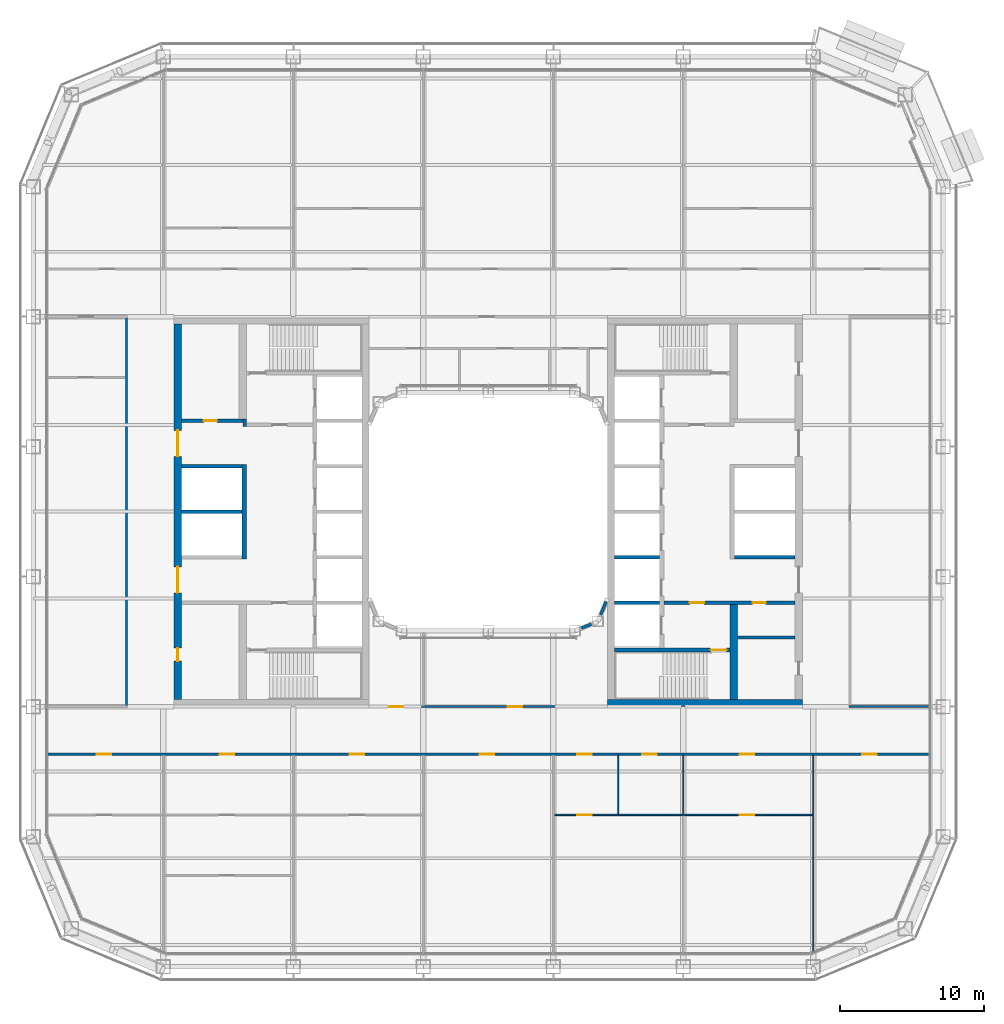
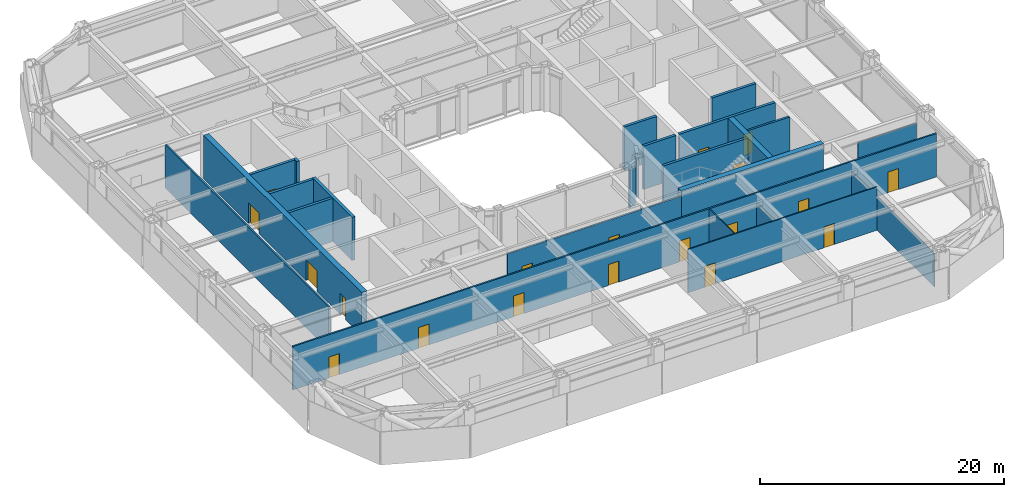
# One storey, part 13 of 30: 24 walls, 19 doors, 19 openings.
"""IFC4 building model written with IfcOpenShell, lengths in metres."""

from ifc_helpers import new_model, si_unit, direction, frame, frame_2d, origin, place, context, subcontext, project, spatial, rectangle, extrude, material, layer, layer_set, type_object, element, fill, save


model = new_model("IFC4")

# Units and contexts
model_context = context("Model", 3, precision=1e-05, world=origin(), true_north=direction((0.0, 1.0)))
body_context = subcontext(model_context, "Body", "Model", "MODEL_VIEW")
ifc_project = project(units=[si_unit("LENGTHUNIT", "METRE"), si_unit("AREAUNIT", "SQUARE_METRE"), si_unit("VOLUMEUNIT", "CUBIC_METRE"), si_unit("PLANEANGLEUNIT", "RADIAN"), si_unit("MASSUNIT", "GRAM", prefix="KILO")], contexts=[model_context])

# Site, building, storey
site_placement = place(None, origin())
site = spatial("IfcSite", under=ifc_project, at=site_placement, CompositionType="ELEMENT")
building_placement = place(site_placement, origin())
building = spatial("IfcBuilding", under=site, at=building_placement, Name="Siwar Civic Tower", CompositionType="ELEMENT")
storey_placement = place(building_placement, frame((0.0, 0.0, 80.699951171875)))
storey = spatial("IfcBuildingStorey", under=building, at=storey_placement, Name="L17", CompositionType="ELEMENT", Elevation=80.699951171875)

# Walls
ifc_material_1 = material(Name="Gypsum board on steel studs", Category="steel")
ifc_layer_1 = layer(ifc_material_1, 0.199951171875)
ifc_layer_set_1 = layer_set([ifc_layer_1], Name="Gypsum board on steel studs")
wall_type_1 = type_object("IfcWallType", Name="CORE-PARTITION-200", PredefinedType="PARTITIONING", material=ifc_layer_set_1)
wall_1_placement = place(storey_placement, frame((17.25, -8.699951171875, 0.0), z_axis=(0.0, 0.0, 1.0), x_axis=(1.0, 0.0, 0.0)))
element("IfcWall", 1, at=wall_1_placement, inside=storey, type_object=wall_type_1, Name="Core partition E", PredefinedType="PARTITIONING", context=body_context, shape_type="SweptSolid", body=[
    extrude(rectangle(XDim=4.0, YDim=0.199951171875, at=frame_2d((2.0, 0.0))), origin(), (0.0, 0.0, 1.0), 4.35009765625),
])
ifc_material_2 = material(Name="Concrete C60/75", Category="concrete")
ifc_layer_2 = layer(ifc_material_2, 0.25)
ifc_layer_set_2 = layer_set([ifc_layer_2], Name="Concrete C60/75")
wall_type_2 = type_object("IfcWallType", Name="CORE-WALL-RC250", PredefinedType="SHEAR", material=ifc_layer_set_2)
wall_2_placement = place(storey_placement, frame((-16.875, 5.89990234375, 0.0), z_axis=(0.0, 0.0, 1.0), x_axis=(0.0, 1.0, 0.0)))
element("IfcWall", 2, at=wall_2_placement, inside=storey, type_object=wall_type_2, Name="Core wall W", PredefinedType="SHEAR", context=body_context, shape_type="SweptSolid", body=[
    extrude(rectangle(XDim=0.525146484375, YDim=0.25, at=frame_2d((0.2626953125, 0.0))), origin(), (0.0, 0.0, 1.0), 4.35009765625),
])

# Wall, opening, door
wall_3_placement = place(storey_placement, frame((-17.0, 6.300048828125, 0.0), z_axis=(0.0, 0.0, 1.0), x_axis=(-1.0, 0.0, 0.0)))
wall_3 = element("IfcWall", 3, at=wall_3_placement, inside=storey, type_object=wall_type_2, Name="Core wall W", PredefinedType="SHEAR", context=body_context, shape_type="SweptSolid", body=[
    extrude(rectangle(XDim=4.25, YDim=0.25, at=frame_2d((2.125, 0.0))), origin(), (0.0, 0.0, 1.0), 4.35009765625),
])
opening_1_placement = place(wall_3_placement, frame((1.800048828125, 0.0, 0.0)))
opening_1 = element("IfcOpeningElement", 4, at=opening_1_placement, cuts=wall_3, Name="Opening L17-CW13", PredefinedType="OPENING", context=body_context, shape_type="SweptSolid", body=[
    extrude(rectangle(XDim=0.89990234375, YDim=2.10009765625, at=frame_2d((0.449951171875, 1.050048828125))), frame((0.0, 0.135009765625, 0.0), z_axis=(0.0, -1.0, 0.0), x_axis=(1.0, 0.0, 0.0)), (0.0, 0.0, 1.0), 0.27001953125),
])
ifc_material_3 = material(Name="Steel door leaf", Category="steel")
door_type_1 = type_object("IfcDoorType", Name="CORE-DOOR-ROOM", OperationType="SINGLE_SWING_LEFT", PredefinedType="DOOR", material=ifc_material_3)
door_1_placement = place(opening_1_placement, origin())
door_1 = element("IfcDoor", 5, at=door_1_placement, inside=storey, type_object=door_type_1, Name="Core room door L17-CW13", OperationType="SINGLE_SWING_LEFT", OverallHeight=2.10009765625, OverallWidth=0.89990234375, PredefinedType="DOOR", context=body_context, shape_type="SweptSolid", body=[
    extrude(rectangle(XDim=0.89990234375, YDim=2.10009765625, at=frame_2d((0.449951171875, 1.050048828125))), frame((0.0, 0.02490234375, 0.0), z_axis=(0.0, -1.0, 0.0), x_axis=(1.0, 0.0, 0.0)), (0.0, 0.0, 1.0), 0.050048828125),
])
fill(opening_1, door_1)

# Walls
for number, where, z_axis, x_axis, name in (
    (6, (-17.050048828125, 0.0, 0.0), (0.0, 0.0, 1.0), (-1.0, 0.0, 0.0), "Core wall W"),
    (7, (-17.050048828125, 3.14990234375, 0.0), (0.0, 0.0, 1.0), (-1.0, 0.0, 0.0), "Core wall W"),
):
    element("IfcWall", number, at=place(storey_placement, frame(where, z_axis=z_axis, x_axis=x_axis)), inside=storey, type_object=wall_type_2, Name=name, PredefinedType="SHEAR", context=body_context, shape_type="SweptSolid", body=[
        extrude(rectangle(XDim=4.199951171875, YDim=0.25, at=frame_2d((2.10009765625, 0.0))), origin(), (0.0, 0.0, 1.0), 4.35009765625),
    ])

# Wall, openings, doors
wall_4_placement = place(storey_placement, frame((12.14990234375, -6.300048828125, 0.0), z_axis=(0.0, 0.0, 1.0), x_axis=(1.0, 0.0, 0.0)))
wall_4 = element("IfcWall", 8, at=wall_4_placement, inside=storey, type_object=wall_type_2, Name="Core wall E", PredefinedType="SHEAR", context=body_context, shape_type="SweptSolid", body=[
    extrude(rectangle(XDim=9.10009765625, YDim=0.25, at=frame_2d((4.550048828125, 0.0))), origin(), (0.0, 0.0, 1.0), 4.35009765625),
])
opening_2_placement = place(wall_4_placement, frame((1.800048828125, 0.0, 0.0)))
opening_2 = element("IfcOpeningElement", 9, at=opening_2_placement, cuts=wall_4, Name="Opening L17-CE02", PredefinedType="OPENING", context=body_context, shape_type="SweptSolid", body=[
    extrude(rectangle(XDim=1.0, YDim=2.10009765625, at=frame_2d((0.5, 1.050048828125))), frame((0.0, 0.135009765625, 0.0), z_axis=(0.0, -1.0, 0.0), x_axis=(1.0, 0.0, 0.0)), (0.0, 0.0, 1.0), 0.27001953125),
])
opening_3_placement = place(wall_4_placement, frame((6.14990234375, 0.0, 0.0)))
opening_3 = element("IfcOpeningElement", 10, at=opening_3_placement, cuts=wall_4, Name="Opening L17-CE14", PredefinedType="OPENING", context=body_context, shape_type="SweptSolid", body=[
    extrude(rectangle(XDim=0.89990234375, YDim=2.10009765625, at=frame_2d((0.449951171875, 1.050048828125))), frame((0.0, 0.135009765625, 0.0), z_axis=(0.0, -1.0, 0.0), x_axis=(1.0, 0.0, 0.0)), (0.0, 0.0, 1.0), 0.27001953125),
])
ifc_material_4 = material(Name="Steel door leaf", Category="steel")
door_type_2 = type_object("IfcDoorType", Name="CORE-DOOR-FD30S", OperationType="SINGLE_SWING_LEFT", PredefinedType="DOOR", material=ifc_material_4)
door_2_placement = place(opening_2_placement, origin())
door_2 = element("IfcDoor", 11, at=door_2_placement, inside=storey, type_object=door_type_2, Name="Service lobby door L17-CE02", OperationType="SINGLE_SWING_LEFT", OverallHeight=2.10009765625, OverallWidth=1.0, PredefinedType="DOOR", context=body_context, shape_type="SweptSolid", body=[
    extrude(rectangle(XDim=1.0, YDim=2.10009765625, at=frame_2d((0.5, 1.050048828125))), frame((0.0, 0.02490234375, 0.0), z_axis=(0.0, -1.0, 0.0), x_axis=(1.0, 0.0, 0.0)), (0.0, 0.0, 1.0), 0.050048828125),
])
fill(opening_2, door_2)
door_3_placement = place(opening_3_placement, origin())
door_3 = element("IfcDoor", 12, at=door_3_placement, inside=storey, type_object=door_type_1, Name="Core room door L17-CE14", OperationType="SINGLE_SWING_LEFT", OverallHeight=2.10009765625, OverallWidth=0.89990234375, PredefinedType="DOOR", context=body_context, shape_type="SweptSolid", body=[
    extrude(rectangle(XDim=0.89990234375, YDim=2.10009765625, at=frame_2d((0.449951171875, 1.050048828125))), frame((0.0, 0.02490234375, 0.0), z_axis=(0.0, -1.0, 0.0), x_axis=(1.0, 0.0, 0.0)), (0.0, 0.0, 1.0), 0.050048828125),
])
fill(opening_3, door_3)

# Walls
wall_5_placement = place(storey_placement, frame((17.050048828125, -3.14990234375, 0.0), z_axis=(0.0, 0.0, 1.0), x_axis=(1.0, 0.0, 0.0)))
element("IfcWall", 13, at=wall_5_placement, inside=storey, type_object=wall_type_2, Name="Core wall E", PredefinedType="SHEAR", context=body_context, shape_type="SweptSolid", body=[
    extrude(rectangle(XDim=4.199951171875, YDim=0.25, at=frame_2d((2.10009765625, 0.0))), origin(), (0.0, 0.0, 1.0), 4.35009765625),
])
for number, where, z_axis, x_axis, name in (
    (14, (8.75, -3.14990234375, 0.0), (0.0, 0.0, 1.0), (1.0, 0.0, 0.0), "Core wall E"),
    (15, (8.75, -6.300048828125, 0.0), (0.0, 0.0, 1.0), (1.0, 0.0, 0.0), "Core wall E"),
):
    element("IfcWall", number, at=place(storey_placement, frame(where, z_axis=z_axis, x_axis=x_axis)), inside=storey, type_object=wall_type_2, Name=name, PredefinedType="SHEAR", context=body_context, shape_type="SweptSolid", body=[
        extrude(rectangle(XDim=3.10009765625, YDim=0.25, at=frame_2d((1.550048828125, 0.0))), origin(), (0.0, 0.0, 1.0), 4.35009765625),
    ])

# Wall, opening, door
wall_6_placement = place(storey_placement, frame((8.75, -9.574951171875, 0.0), z_axis=(0.0, 0.0, 1.0), x_axis=(1.0, 0.0, 0.0)))
wall_6 = element("IfcWall", 16, at=wall_6_placement, inside=storey, type_object=wall_type_2, Name="Core wall E", PredefinedType="SHEAR", context=body_context, shape_type="SweptSolid", body=[
    extrude(rectangle(XDim=8.0, YDim=0.25, at=frame_2d((4.0, 0.0))), origin(), (0.0, 0.0, 1.0), 4.35009765625),
])
opening_4_placement = place(wall_6_placement, frame((6.64990234375, 0.0, 0.0)))
opening_4 = element("IfcOpeningElement", 17, at=opening_4_placement, cuts=wall_6, Name="Opening L17-CE04", PredefinedType="OPENING", context=body_context, shape_type="SweptSolid", body=[
    extrude(rectangle(XDim=1.10009765625, YDim=2.10009765625, at=frame_2d((0.550048828125, 1.050048828125))), frame((0.0, 0.135009765625, 0.0), z_axis=(0.0, -1.0, 0.0), x_axis=(1.0, 0.0, 0.0)), (0.0, 0.0, 1.0), 0.27001953125),
])
ifc_material_5 = material(Name="Steel door leaf", Category="steel")
door_type_3 = type_object("IfcDoorType", Name="CORE-DOOR-FD60S", OperationType="SINGLE_SWING_LEFT", PredefinedType="DOOR", material=ifc_material_5)
door_4_placement = place(opening_4_placement, origin())
door_4 = element("IfcDoor", 18, at=door_4_placement, inside=storey, type_object=door_type_3, Name="Stair door L17-CE04", OperationType="SINGLE_SWING_RIGHT", OverallHeight=2.10009765625, OverallWidth=1.10009765625, PredefinedType="DOOR", context=body_context, shape_type="SweptSolid", body=[
    extrude(rectangle(XDim=1.10009765625, YDim=2.10009765625, at=frame_2d((0.550048828125, 1.050048828125))), frame((0.0, 0.02490234375, 0.0), z_axis=(0.0, -1.0, 0.0), x_axis=(1.0, 0.0, 0.0)), (0.0, 0.0, 1.0), 0.050048828125),
])
fill(opening_4, door_4)

# Wall
ifc_material_6 = material(Name="Concrete C60/75", Category="concrete")
ifc_layer_3 = layer(ifc_material_6, 0.300048828125)
ifc_layer_set_3 = layer_set([ifc_layer_3], Name="Concrete C60/75")
wall_type_3 = type_object("IfcWallType", Name="CORE-WALL-RC300", PredefinedType="SHEAR", material=ifc_layer_set_3)
wall_7_placement = place(storey_placement, frame((-16.89990234375, -3.27490234375, 0.0), z_axis=(0.0, 0.0, 1.0), x_axis=(0.0, 1.0, 0.0)))
element("IfcWall", 19, at=wall_7_placement, inside=storey, type_object=wall_type_3, Name="Core wall W", PredefinedType="SHEAR", context=body_context, shape_type="SweptSolid", body=[
    extrude(rectangle(XDim=6.5498046875, YDim=0.300048828125, at=frame_2d((3.27490234375, 0.0))), origin(), (0.0, 0.0, 1.0), 4.35009765625),
])

# Wall, openings, doors
ifc_material_7 = material(Name="Concrete C60/75", Category="concrete")
ifc_layer_4 = layer(ifc_material_7, 0.5)
ifc_layer_set_4 = layer_set([ifc_layer_4], Name="Concrete C60/75")
wall_type_4 = type_object("IfcWallType", Name="CORE-WALL-RC500", PredefinedType="SHEAR", material=ifc_layer_set_4)
wall_8_placement = place(storey_placement, frame((-21.5, -13.0, 0.0), z_axis=(0.0, 0.0, 1.0), x_axis=(0.0, 1.0, 0.0)))
wall_8 = element("IfcWall", 20, at=wall_8_placement, inside=storey, type_object=wall_type_4, Name="Core wall W", PredefinedType="SHEAR", context=body_context, shape_type="SweptSolid", body=[
    extrude(rectangle(XDim=26.0, YDim=0.5, at=frame_2d((13.0, 0.0))), origin(), (0.0, 0.0, 1.0), 4.35009765625),
])
opening_5_placement = place(wall_8_placement, frame((16.824951171875, 0.0, 0.0)))
opening_5 = element("IfcOpeningElement", 21, at=opening_5_placement, cuts=wall_8, Name="Opening L17-CW05", PredefinedType="OPENING", context=body_context, shape_type="SweptSolid", body=[
    extrude(rectangle(XDim=1.800048828125, YDim=2.10009765625, at=frame_2d((0.89990234375, 1.050048828125))), frame((0.0, 0.260009765625, 0.0), z_axis=(0.0, -1.0, 0.0), x_axis=(1.0, 0.0, 0.0)), (0.0, 0.0, 1.0), 0.52001953125),
])
opening_6_placement = place(wall_8_placement, frame((7.375, 0.0, 0.0)))
opening_6 = element("IfcOpeningElement", 22, at=opening_6_placement, cuts=wall_8, Name="Opening L17-CW06", PredefinedType="OPENING", context=body_context, shape_type="SweptSolid", body=[
    extrude(rectangle(XDim=1.800048828125, YDim=2.10009765625, at=frame_2d((0.89990234375, 1.050048828125))), frame((0.0, 0.260009765625, 0.0), z_axis=(0.0, -1.0, 0.0), x_axis=(1.0, 0.0, 0.0)), (0.0, 0.0, 1.0), 0.52001953125),
])
opening_7_placement = place(wall_8_placement, frame((2.64990234375, 0.0, 0.0)))
opening_7 = element("IfcOpeningElement", 23, at=opening_7_placement, cuts=wall_8, Name="Opening L17-CW14", PredefinedType="OPENING", context=body_context, shape_type="SweptSolid", body=[
    extrude(rectangle(XDim=0.89990234375, YDim=2.10009765625, at=frame_2d((0.449951171875, 1.050048828125))), frame((0.0, 0.260009765625, 0.0), z_axis=(0.0, -1.0, 0.0), x_axis=(1.0, 0.0, 0.0)), (0.0, 0.0, 1.0), 0.52001953125),
])
ifc_material_8 = material(Name="Steel door leaf", Category="steel")
door_type_4 = type_object("IfcDoorType", Name="CORE-DOOR-PORT", OperationType="DOUBLE_DOOR_DOUBLE_SWING", PredefinedType="DOOR", material=ifc_material_8)
door_5_placement = place(opening_5_placement, origin())
door_5 = element("IfcDoor", 24, at=door_5_placement, inside=storey, type_object=door_type_4, Name="Core entrance door L17-CW05", OperationType="DOUBLE_DOOR_DOUBLE_SWING", OverallHeight=2.10009765625, OverallWidth=1.800048828125, PredefinedType="DOOR", context=body_context, shape_type="SweptSolid", body=[
    extrude(rectangle(XDim=1.800048828125, YDim=2.10009765625, at=frame_2d((0.89990234375, 1.050048828125))), frame((0.0, 0.02490234375, 0.0), z_axis=(0.0, -1.0, 0.0), x_axis=(1.0, 0.0, 0.0)), (0.0, 0.0, 1.0), 0.050048828125),
])
fill(opening_5, door_5)
door_6_placement = place(opening_6_placement, origin())
door_6 = element("IfcDoor", 25, at=door_6_placement, inside=storey, type_object=door_type_4, Name="Core entrance door L17-CW06", OperationType="DOUBLE_DOOR_DOUBLE_SWING", OverallHeight=2.10009765625, OverallWidth=1.800048828125, PredefinedType="DOOR", context=body_context, shape_type="SweptSolid", body=[
    extrude(rectangle(XDim=1.800048828125, YDim=2.10009765625, at=frame_2d((0.89990234375, 1.050048828125))), frame((0.0, 0.02490234375, 0.0), z_axis=(0.0, -1.0, 0.0), x_axis=(1.0, 0.0, 0.0)), (0.0, 0.0, 1.0), 0.050048828125),
])
fill(opening_6, door_6)
door_7_placement = place(opening_7_placement, origin())
door_7 = element("IfcDoor", 26, at=door_7_placement, inside=storey, type_object=door_type_1, Name="Core room door L17-CW14", OperationType="SINGLE_SWING_LEFT", OverallHeight=2.10009765625, OverallWidth=0.89990234375, PredefinedType="DOOR", context=body_context, shape_type="SweptSolid", body=[
    extrude(rectangle(XDim=0.89990234375, YDim=2.10009765625, at=frame_2d((0.449951171875, 1.050048828125))), frame((0.0, 0.02490234375, 0.0), z_axis=(0.0, -1.0, 0.0), x_axis=(1.0, 0.0, 0.0)), (0.0, 0.0, 1.0), 0.050048828125),
])
fill(opening_7, door_7)

# Walls
wall_9_placement = place(storey_placement, frame((17.0, -13.0, 0.0), z_axis=(0.0, 0.0, 1.0), x_axis=(0.0, 1.0, 0.0)))
element("IfcWall", 27, at=wall_9_placement, inside=storey, type_object=wall_type_4, Name="Core wall E", PredefinedType="SHEAR", context=body_context, shape_type="SweptSolid", body=[
    extrude(rectangle(XDim=6.574951171875, YDim=0.5, at=frame_2d((3.28759765625, 0.0))), origin(), (0.0, 0.0, 1.0), 4.35009765625),
])
wall_10_placement = place(storey_placement, frame((8.25, -13.25, 0.0), z_axis=(0.0, 0.0, 1.0), x_axis=(1.0, 0.0, 0.0)))
element("IfcWall", 28, at=wall_10_placement, inside=storey, type_object=wall_type_4, Name="Core wall E", PredefinedType="SHEAR", context=body_context, shape_type="SweptSolid", body=[
    extrude(rectangle(XDim=13.5, YDim=0.5, at=frame_2d((6.75, 0.0))), origin(), (0.0, 0.0, 1.0), 4.35009765625),
])

# Wall, openings, doors
ifc_material_9 = material(Name="Gypsum board on steel studs", Category="steel")
ifc_layer_5 = layer(ifc_material_9, 0.14990234375)
ifc_layer_set_5 = layer_set([ifc_layer_5], Name="Gypsum board on steel studs")
wall_type_5 = type_object("IfcWallType", Name="CORRIDOR PARTITION 150 EI 30", PredefinedType="PARTITIONING", material=ifc_layer_set_5)
wall_11_placement = place(storey_placement, frame((-30.510009765625, -16.800048828125, 0.0), z_axis=(0.0, 0.0, 1.0), x_axis=(1.0, 0.0, 0.0)))
wall_11 = element("IfcWall", 29, at=wall_11_placement, inside=storey, type_object=wall_type_5, Name="L17/wall/P04", PredefinedType="PARTITIONING", context=body_context, shape_type="SweptSolid", body=[
    extrude(rectangle(XDim=61.02001953125, YDim=0.14990234375, at=frame_2d((30.510009765625, 0.0))), origin(), (0.0, 0.0, 1.0), 4.35009765625),
])
opening_8_placement = place(wall_11_placement, frame((11.909912109375, 0.0, 0.0)))
opening_8 = element("IfcOpeningElement", 30, at=opening_8_placement, cuts=wall_11, Name="Opening D1", PredefinedType="OPENING", context=body_context, shape_type="SweptSolid", body=[
    extrude(rectangle(XDim=1.0, YDim=2.10009765625, at=frame_2d((0.5, 1.050048828125))), frame((0.0, 0.0849609375, 0.0), z_axis=(0.0, -1.0, 0.0), x_axis=(1.0, 0.0, 0.0)), (0.0, 0.0, 1.0), 0.169921875),
])
opening_9_placement = place(wall_11_placement, frame((20.909912109375, 0.0, 0.0)))
opening_9 = element("IfcOpeningElement", 31, at=opening_9_placement, cuts=wall_11, Name="Opening D1", PredefinedType="OPENING", context=body_context, shape_type="SweptSolid", body=[
    extrude(rectangle(XDim=1.0, YDim=2.10009765625, at=frame_2d((0.5, 1.050048828125))), frame((0.0, 0.0849609375, 0.0), z_axis=(0.0, -1.0, 0.0), x_axis=(1.0, 0.0, 0.0)), (0.0, 0.0, 1.0), 0.169921875),
])
opening_10_placement = place(wall_11_placement, frame((29.909912109375, 0.0, 0.0)))
opening_10 = element("IfcOpeningElement", 32, at=opening_10_placement, cuts=wall_11, Name="Opening D1", PredefinedType="OPENING", context=body_context, shape_type="SweptSolid", body=[
    extrude(rectangle(XDim=1.0, YDim=2.10009765625, at=frame_2d((0.5, 1.050048828125))), frame((0.0, 0.0849609375, 0.0), z_axis=(0.0, -1.0, 0.0), x_axis=(1.0, 0.0, 0.0)), (0.0, 0.0, 1.0), 0.169921875),
])
opening_11_placement = place(wall_11_placement, frame((36.659912109375, 0.0, 0.0)))
opening_11 = element("IfcOpeningElement", 33, at=opening_11_placement, cuts=wall_11, Name="Opening D1", PredefinedType="OPENING", context=body_context, shape_type="SweptSolid", body=[
    extrude(rectangle(XDim=1.0, YDim=2.10009765625, at=frame_2d((0.5, 1.050048828125))), frame((0.0, 0.0849609375, 0.0), z_axis=(0.0, -1.0, 0.0), x_axis=(1.0, 0.0, 0.0)), (0.0, 0.0, 1.0), 0.169921875),
])
opening_12_placement = place(wall_11_placement, frame((41.159912109375, 0.0, 0.0)))
opening_12 = element("IfcOpeningElement", 34, at=opening_12_placement, cuts=wall_11, Name="Opening D1", PredefinedType="OPENING", context=body_context, shape_type="SweptSolid", body=[
    extrude(rectangle(XDim=1.0, YDim=2.10009765625, at=frame_2d((0.5, 1.050048828125))), frame((0.0, 0.0849609375, 0.0), z_axis=(0.0, -1.0, 0.0), x_axis=(1.0, 0.0, 0.0)), (0.0, 0.0, 1.0), 0.169921875),
])
opening_13_placement = place(wall_11_placement, frame((47.909912109375, 0.0, 0.0)))
opening_13 = element("IfcOpeningElement", 35, at=opening_13_placement, cuts=wall_11, Name="Opening D1", PredefinedType="OPENING", context=body_context, shape_type="SweptSolid", body=[
    extrude(rectangle(XDim=1.0, YDim=2.10009765625, at=frame_2d((0.5, 1.050048828125))), frame((0.0, 0.0849609375, 0.0), z_axis=(0.0, -1.0, 0.0), x_axis=(1.0, 0.0, 0.0)), (0.0, 0.0, 1.0), 0.169921875),
])
opening_14_placement = place(wall_11_placement, frame((3.39990234375, 0.0, 0.0)))
opening_14 = element("IfcOpeningElement", 36, at=opening_14_placement, cuts=wall_11, Name="Opening D1", PredefinedType="OPENING", context=body_context, shape_type="SweptSolid", body=[
    extrude(rectangle(XDim=1.0, YDim=2.10009765625, at=frame_2d((0.5, 1.050048828125))), frame((0.0, 0.0849609375, 0.0), z_axis=(0.0, -1.0, 0.0), x_axis=(1.0, 0.0, 0.0)), (0.0, 0.0, 1.0), 0.169921875),
])
opening_15_placement = place(wall_11_placement, frame((56.409912109375, 0.0, 0.0)))
opening_15 = element("IfcOpeningElement", 37, at=opening_15_placement, cuts=wall_11, Name="Opening D1", PredefinedType="OPENING", context=body_context, shape_type="SweptSolid", body=[
    extrude(rectangle(XDim=1.0, YDim=2.10009765625, at=frame_2d((0.5, 1.050048828125))), frame((0.0, 0.0849609375, 0.0), z_axis=(0.0, -1.0, 0.0), x_axis=(1.0, 0.0, 0.0)), (0.0, 0.0, 1.0), 0.169921875),
])
ifc_material_10 = material(Name="Timber, painted", Category="wood")
door_type_5 = type_object("IfcDoorType", Name="DOOR 1000 X 2100 FD30", OperationType="SINGLE_SWING_LEFT", PredefinedType="DOOR", material=ifc_material_10)
door_8_placement = place(opening_8_placement, origin())
door_8 = element("IfcDoor", 38, at=door_8_placement, inside=storey, type_object=door_type_5, Name="L17-D09", OperationType="SINGLE_SWING_LEFT", OverallHeight=2.10009765625, OverallWidth=1.0, PredefinedType="DOOR", context=body_context, shape_type="SweptSolid", body=[
    extrude(rectangle(XDim=1.0, YDim=2.10009765625, at=frame_2d((0.5, 1.050048828125))), frame((0.0, 0.02490234375, 0.0), z_axis=(0.0, -1.0, 0.0), x_axis=(1.0, 0.0, 0.0)), (0.0, 0.0, 1.0), 0.050048828125),
])
fill(opening_8, door_8)
door_9_placement = place(opening_9_placement, origin())
door_9 = element("IfcDoor", 39, at=door_9_placement, inside=storey, type_object=door_type_5, Name="L17-D12", OperationType="SINGLE_SWING_RIGHT", OverallHeight=2.10009765625, OverallWidth=1.0, PredefinedType="DOOR", context=body_context, shape_type="SweptSolid", body=[
    extrude(rectangle(XDim=1.0, YDim=2.10009765625, at=frame_2d((0.5, 1.050048828125))), frame((0.0, 0.02490234375, 0.0), z_axis=(0.0, -1.0, 0.0), x_axis=(1.0, 0.0, 0.0)), (0.0, 0.0, 1.0), 0.050048828125),
])
fill(opening_9, door_9)
door_10_placement = place(opening_10_placement, origin())
door_10 = element("IfcDoor", 40, at=door_10_placement, inside=storey, type_object=door_type_5, Name="L17-D14", OperationType="SINGLE_SWING_RIGHT", OverallHeight=2.10009765625, OverallWidth=1.0, PredefinedType="DOOR", context=body_context, shape_type="SweptSolid", body=[
    extrude(rectangle(XDim=1.0, YDim=2.10009765625, at=frame_2d((0.5, 1.050048828125))), frame((0.0, 0.02490234375, 0.0), z_axis=(0.0, -1.0, 0.0), x_axis=(1.0, 0.0, 0.0)), (0.0, 0.0, 1.0), 0.050048828125),
])
fill(opening_10, door_10)
door_11_placement = place(opening_11_placement, origin())
door_11 = element("IfcDoor", 41, at=door_11_placement, inside=storey, type_object=door_type_5, Name="L17-D15", OperationType="SINGLE_SWING_LEFT", OverallHeight=2.10009765625, OverallWidth=1.0, PredefinedType="DOOR", context=body_context, shape_type="SweptSolid", body=[
    extrude(rectangle(XDim=1.0, YDim=2.10009765625, at=frame_2d((0.5, 1.050048828125))), frame((0.0, 0.02490234375, 0.0), z_axis=(0.0, -1.0, 0.0), x_axis=(1.0, 0.0, 0.0)), (0.0, 0.0, 1.0), 0.050048828125),
])
fill(opening_11, door_11)
door_12_placement = place(opening_12_placement, origin())
door_12 = element("IfcDoor", 42, at=door_12_placement, inside=storey, type_object=door_type_5, Name="L17-D16", OperationType="SINGLE_SWING_RIGHT", OverallHeight=2.10009765625, OverallWidth=1.0, PredefinedType="DOOR", context=body_context, shape_type="SweptSolid", body=[
    extrude(rectangle(XDim=1.0, YDim=2.10009765625, at=frame_2d((0.5, 1.050048828125))), frame((0.0, 0.02490234375, 0.0), z_axis=(0.0, -1.0, 0.0), x_axis=(1.0, 0.0, 0.0)), (0.0, 0.0, 1.0), 0.050048828125),
])
fill(opening_12, door_12)
door_13_placement = place(opening_13_placement, origin())
door_13 = element("IfcDoor", 43, at=door_13_placement, inside=storey, type_object=door_type_5, Name="L17-D18", OperationType="SINGLE_SWING_RIGHT", OverallHeight=2.10009765625, OverallWidth=1.0, PredefinedType="DOOR", context=body_context, shape_type="SweptSolid", body=[
    extrude(rectangle(XDim=1.0, YDim=2.10009765625, at=frame_2d((0.5, 1.050048828125))), frame((0.0, 0.02490234375, 0.0), z_axis=(0.0, -1.0, 0.0), x_axis=(1.0, 0.0, 0.0)), (0.0, 0.0, 1.0), 0.050048828125),
])
fill(opening_13, door_13)
door_14_placement = place(opening_14_placement, origin())
door_14 = element("IfcDoor", 44, at=door_14_placement, inside=storey, type_object=door_type_5, Name="L17-D22", OperationType="SINGLE_SWING_RIGHT", OverallHeight=2.10009765625, OverallWidth=1.0, PredefinedType="DOOR", context=body_context, shape_type="SweptSolid", body=[
    extrude(rectangle(XDim=1.0, YDim=2.10009765625, at=frame_2d((0.5, 1.050048828125))), frame((0.0, 0.02490234375, 0.0), z_axis=(0.0, -1.0, 0.0), x_axis=(1.0, 0.0, 0.0)), (0.0, 0.0, 1.0), 0.050048828125),
])
fill(opening_14, door_14)
door_15_placement = place(opening_15_placement, origin())
door_15 = element("IfcDoor", 45, at=door_15_placement, inside=storey, type_object=door_type_5, Name="L17-D24", OperationType="SINGLE_SWING_RIGHT", OverallHeight=2.10009765625, OverallWidth=1.0, PredefinedType="DOOR", context=body_context, shape_type="SweptSolid", body=[
    extrude(rectangle(XDim=1.0, YDim=2.10009765625, at=frame_2d((0.5, 1.050048828125))), frame((0.0, 0.02490234375, 0.0), z_axis=(0.0, -1.0, 0.0), x_axis=(1.0, 0.0, 0.0)), (0.0, 0.0, 1.0), 0.050048828125),
])
fill(opening_15, door_15)

wall_12_placement = place(storey_placement, frame((-8.25, -13.5, 0.0), z_axis=(0.0, 0.0, 1.0), x_axis=(1.0, 0.0, 0.0)))
wall_12 = element("IfcWall", 46, at=wall_12_placement, inside=storey, type_object=wall_type_5, Name="L17/wall/P06", PredefinedType="PARTITIONING", context=body_context, shape_type="SweptSolid", body=[
    extrude(rectangle(XDim=16.5, YDim=0.14990234375, at=frame_2d((8.25, 0.0))), origin(), (0.0, 0.0, 1.0), 3.85009765625),
])
opening_16_placement = place(wall_12_placement, frame((1.35009765625, 0.0, 0.0)))
opening_16 = element("IfcOpeningElement", 47, at=opening_16_placement, cuts=wall_12, Name="Opening D1", PredefinedType="OPENING", context=body_context, shape_type="SweptSolid", body=[
    extrude(rectangle(XDim=1.0, YDim=2.10009765625, at=frame_2d((0.5, 1.050048828125))), frame((0.0, 0.0849609375, 0.0), z_axis=(0.0, -1.0, 0.0), x_axis=(1.0, 0.0, 0.0)), (0.0, 0.0, 1.0), 0.169921875),
])
opening_17_placement = place(wall_12_placement, frame((9.60009765625, 0.0, 0.0)))
opening_17 = element("IfcOpeningElement", 48, at=opening_17_placement, cuts=wall_12, Name="Opening D1", PredefinedType="OPENING", context=body_context, shape_type="SweptSolid", body=[
    extrude(rectangle(XDim=1.0, YDim=2.10009765625, at=frame_2d((0.5, 1.050048828125))), frame((0.0, 0.0849609375, 0.0), z_axis=(0.0, -1.0, 0.0), x_axis=(1.0, 0.0, 0.0)), (0.0, 0.0, 1.0), 0.169921875),
])
door_16_placement = place(opening_16_placement, origin())
door_16 = element("IfcDoor", 49, at=door_16_placement, inside=storey, type_object=door_type_5, Name="L17-D33", OperationType="SINGLE_SWING_LEFT", OverallHeight=2.10009765625, OverallWidth=1.0, PredefinedType="DOOR", context=body_context, shape_type="SweptSolid", body=[
    extrude(rectangle(XDim=1.0, YDim=2.10009765625, at=frame_2d((0.5, 1.050048828125))), frame((0.0, 0.02490234375, 0.0), z_axis=(0.0, -1.0, 0.0), x_axis=(1.0, 0.0, 0.0)), (0.0, 0.0, 1.0), 0.050048828125),
])
fill(opening_16, door_16)
door_17_placement = place(opening_17_placement, origin())
door_17 = element("IfcDoor", 50, at=door_17_placement, inside=storey, type_object=door_type_5, Name="L17-D34", OperationType="SINGLE_SWING_RIGHT", OverallHeight=2.10009765625, OverallWidth=1.0, PredefinedType="DOOR", context=body_context, shape_type="SweptSolid", body=[
    extrude(rectangle(XDim=1.0, YDim=2.10009765625, at=frame_2d((0.5, 1.050048828125))), frame((0.0, 0.02490234375, 0.0), z_axis=(0.0, -1.0, 0.0), x_axis=(1.0, 0.0, 0.0)), (0.0, 0.0, 1.0), 0.050048828125),
])
fill(opening_17, door_17)

# Walls
wall_13_placement = place(storey_placement, frame((24.97509765625, -13.5, 0.0), z_axis=(0.0, 0.0, 1.0), x_axis=(1.0, 0.0, 0.0)))
element("IfcWall", 51, at=wall_13_placement, inside=storey, type_object=wall_type_5, Name="L17/wall/P07", PredefinedType="PARTITIONING", context=body_context, shape_type="SweptSolid", body=[
    extrude(rectangle(XDim=5.534912109375, YDim=0.14990234375, at=frame_2d((2.767578125, 0.0))), origin(), (0.0, 0.0, 1.0), 3.35009765625),
])
wall_14_placement = place(storey_placement, frame((-25.050048828125, -13.425048828125, 0.0), z_axis=(0.0, 0.0, 1.0), x_axis=(0.0, 1.0, 0.0)))
element("IfcWall", 52, at=wall_14_placement, inside=storey, type_object=wall_type_5, Name="L17/wall/P18", PredefinedType="PARTITIONING", context=body_context, shape_type="SweptSolid", body=[
    extrude(rectangle(XDim=26.85009765625, YDim=0.14990234375, at=frame_2d((13.425048828125, 0.0))), origin(), (0.0, 0.0, 1.0), 4.35009765625),
])
ifc_material_11 = material(Name="Aluminium clad insulated panel", Category="aluminium")
ifc_layer_6 = layer(ifc_material_11, 0.199951171875)
ifc_layer_set_6 = layer_set([ifc_layer_6], Name="Aluminium clad insulated panel")
wall_type_6 = type_object("IfcWallType", Name="ENV-WALL-WELL", PredefinedType="STANDARD", material=ifc_layer_set_6)
wall_15_placement = place(storey_placement, frame((6.45263671875, -8.0625, 0.0), z_axis=(0.0, 0.0, 1.0), x_axis=(0.923940677943, 0.382535780864, 0.0)))
element("IfcWall", 53, at=wall_15_placement, inside=storey, type_object=wall_type_6, Name="Light well corner wall SE1", PredefinedType="STANDARD", context=body_context, shape_type="SweptSolid", body=[
    extrude(rectangle(XDim=0.7421875, YDim=0.199951171875, at=frame_2d((0.37109375, 0.0))), origin(), (0.0, 0.0, 1.0), 3.72998046875),
])
wall_16_placement = place(storey_placement, frame((7.778564453125, -7.138427734375, 0.0), z_axis=(0.0, 0.0, 1.0), x_axis=(0.382549378284, 0.923935048136, 0.0)))
element("IfcWall", 54, at=wall_16_placement, inside=storey, type_object=wall_type_6, Name="Light well corner wall SE2", PredefinedType="STANDARD", context=body_context, shape_type="SweptSolid", body=[
    extrude(rectangle(XDim=0.982177734375, YDim=0.199951171875, at=frame_2d((0.4912109375, 0.0))), origin(), (0.0, 0.0, 1.0), 3.72998046875),
])

# Wall, openings, doors
ifc_material_12 = material(Name="Gypsum board on steel studs", Category="steel")
ifc_layer_7 = layer(ifc_material_12, 0.10009765625)
ifc_layer_set_7 = layer_set([ifc_layer_7], Name="Gypsum board on steel studs")
wall_type_7 = type_object("IfcWallType", Name="PARTITION 100 GYPSUM", PredefinedType="PARTITIONING", material=ifc_layer_set_7)
wall_17_placement = place(storey_placement, frame((4.550048828125, -21.0, 0.0), z_axis=(0.0, 0.0, 1.0), x_axis=(1.0, 0.0, 0.0)))
wall_17 = element("IfcWall", 55, at=wall_17_placement, inside=storey, type_object=wall_type_7, Name="L17/wall/P03", PredefinedType="PARTITIONING", context=body_context, shape_type="SweptSolid", body=[
    extrude(rectangle(XDim=17.89990234375, YDim=0.10009765625, at=frame_2d((8.949951171875, 0.0))), origin(), (0.0, 0.0, 1.0), 4.35009765625),
])
opening_18_placement = place(wall_17_placement, frame((1.60009765625, 0.0, 0.0)))
opening_18 = element("IfcOpeningElement", 56, at=opening_18_placement, cuts=wall_17, Name="Opening D2", PredefinedType="OPENING", context=body_context, shape_type="SweptSolid", body=[
    extrude(rectangle(XDim=1.0, YDim=2.10009765625, at=frame_2d((0.5, 1.050048828125))), frame((0.0, 0.06005859375, 0.0), z_axis=(0.0, -1.0, 0.0), x_axis=(1.0, 0.0, 0.0)), (0.0, 0.0, 1.0), 0.1201171875),
])
opening_19_placement = place(wall_17_placement, frame((12.85009765625, 0.0, 0.0)))
opening_19 = element("IfcOpeningElement", 57, at=opening_19_placement, cuts=wall_17, Name="Opening D2", PredefinedType="OPENING", context=body_context, shape_type="SweptSolid", body=[
    extrude(rectangle(XDim=1.0, YDim=2.10009765625, at=frame_2d((0.5, 1.050048828125))), frame((0.0, 0.06005859375, 0.0), z_axis=(0.0, -1.0, 0.0), x_axis=(1.0, 0.0, 0.0)), (0.0, 0.0, 1.0), 0.1201171875),
])
ifc_material_13 = material(Name="Timber, painted", Category="wood")
door_type_6 = type_object("IfcDoorType", Name="DOOR 1000 X 2100", OperationType="SINGLE_SWING_LEFT", PredefinedType="DOOR", material=ifc_material_13)
door_18_placement = place(opening_18_placement, origin())
door_18 = element("IfcDoor", 58, at=door_18_placement, inside=storey, type_object=door_type_6, Name="L17-D17", OperationType="SINGLE_SWING_LEFT", OverallHeight=2.10009765625, OverallWidth=1.0, PredefinedType="DOOR", context=body_context, shape_type="SweptSolid", body=[
    extrude(rectangle(XDim=1.0, YDim=2.10009765625, at=frame_2d((0.5, 1.050048828125))), frame((0.0, 0.02490234375, 0.0), z_axis=(0.0, -1.0, 0.0), x_axis=(1.0, 0.0, 0.0)), (0.0, 0.0, 1.0), 0.050048828125),
])
fill(opening_18, door_18)
door_19_placement = place(opening_19_placement, origin())
door_19 = element("IfcDoor", 59, at=door_19_placement, inside=storey, type_object=door_type_6, Name="L17-D19", OperationType="SINGLE_SWING_LEFT", OverallHeight=2.10009765625, OverallWidth=1.0, PredefinedType="DOOR", context=body_context, shape_type="SweptSolid", body=[
    extrude(rectangle(XDim=1.0, YDim=2.10009765625, at=frame_2d((0.5, 1.050048828125))), frame((0.0, 0.02490234375, 0.0), z_axis=(0.0, -1.0, 0.0), x_axis=(1.0, 0.0, 0.0)), (0.0, 0.0, 1.0), 0.050048828125),
])
fill(opening_19, door_19)

# Walls
wall_18_placement = place(storey_placement, frame((9.0, -20.949951171875, 0.0), z_axis=(0.0, 0.0, 1.0), x_axis=(0.0, 1.0, 0.0)))
element("IfcWall", 60, at=wall_18_placement, inside=storey, type_object=wall_type_7, Name="L17/wall/P33", PredefinedType="PARTITIONING", context=body_context, shape_type="SweptSolid", body=[
    extrude(rectangle(XDim=4.074951171875, YDim=0.10009765625, at=frame_2d((2.03759765625, 0.0))), origin(), (0.0, 0.0, 1.0), 4.35009765625),
])
wall_19_placement = place(storey_placement, frame((13.5, -20.949951171875, 0.0), z_axis=(0.0, 0.0, 1.0), x_axis=(0.0, 1.0, 0.0)))
element("IfcWall", 61, at=wall_19_placement, inside=storey, type_object=wall_type_7, Name="L17/wall/P35", PredefinedType="PARTITIONING", context=body_context, shape_type="SweptSolid", body=[
    extrude(rectangle(XDim=4.074951171875, YDim=0.10009765625, at=frame_2d((2.03759765625, 0.0))), origin(), (0.0, 0.0, 1.0), 3.35009765625),
])
wall_20_placement = place(storey_placement, frame((22.5, -30.427978515625, 0.0), z_axis=(0.0, 0.0, 1.0), x_axis=(0.0, 1.0, 0.0)))
element("IfcWall", 62, at=wall_20_placement, inside=storey, type_object=wall_type_7, Name="L17/wall/P37", PredefinedType="PARTITIONING", context=body_context, shape_type="SweptSolid", body=[
    extrude(rectangle(XDim=13.552978515625, YDim=0.10009765625, at=frame_2d((6.7763671875, 0.0))), origin(), (0.0, 0.0, 1.0), 3.35009765625),
])

save(model, "model.ifc")
